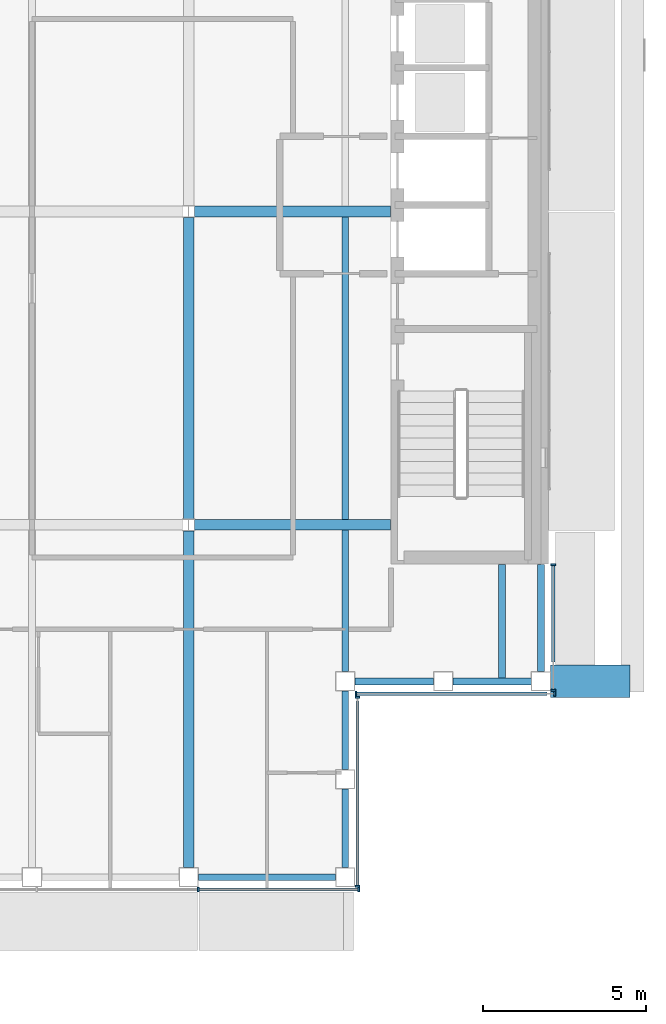
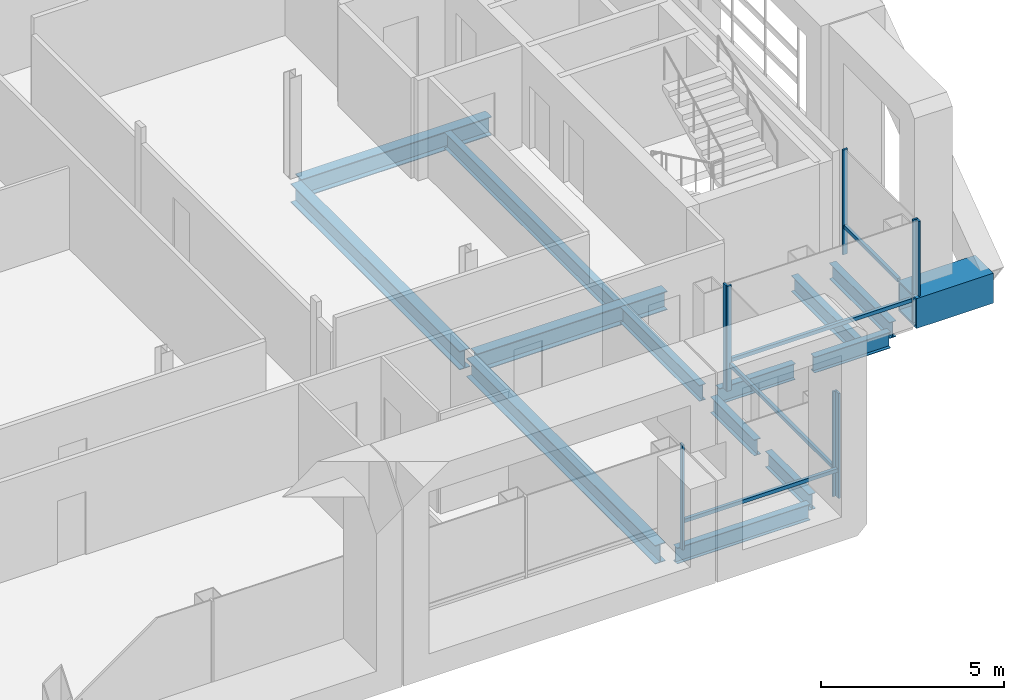
# One storey, part 6 of 23: 14 beams, 12 members, 4 elements without a shape of their own.
"""IFC4 building model written with IfcOpenShell, lengths in metres."""

from ifc_helpers import new_model, si_unit, direction, frame, origin, origin_2d, place, context, subcontext, project, spatial, rectangle, hollow_rectangle, i_section, extrude, material, material_profile, profile_set, type_object, element, aggregate, save


model = new_model("IFC4")

# Units and contexts
model_context = context("Model", 3, precision=1e-05, world=origin(), true_north=direction((0.0, 1.0)))
body_context = subcontext(model_context, "Body", "Model", "MODEL_VIEW")
ifc_project = project(units=[si_unit("LENGTHUNIT", "METRE"), si_unit("AREAUNIT", "SQUARE_METRE"), si_unit("VOLUMEUNIT", "CUBIC_METRE"), si_unit("PLANEANGLEUNIT", "RADIAN"), si_unit("MASSUNIT", "GRAM", prefix="KILO")], contexts=[model_context])

# Site, building, storey
site_placement = place(None, origin())
site = spatial("IfcSite", under=ifc_project, at=site_placement, CompositionType="ELEMENT")
building_placement = place(site_placement, origin())
building = spatial("IfcBuilding", under=site, at=building_placement, Name="Cobrizo Arcos Hotel Tower", CompositionType="ELEMENT")
storey_placement = place(building_placement, frame((0.0, 0.0, 255.0)))
storey = spatial("IfcBuildingStorey", under=building, at=storey_placement, Name="L67", CompositionType="ELEMENT", Elevation=255.0)

# Beam
ifc_material_1 = material(Name="Steel ASTM A572 Grade 50", Category="steel")
ifc_material_profile_1 = material_profile(ifc_material_1, hollow_rectangle(XDim=1.0, YDim=1.0, WallThickness=0.06005859375, at=origin_2d()), Name="BOX 1000X1000X60")
ifc_profile_set_1 = profile_set([ifc_material_profile_1], Name="Steel ASTM A572 Grade 50")
beam_type_1 = type_object("IfcBeamType", Name="BOX 1000X1000X60 brace connector strut", PredefinedType="BEAM", material=ifc_profile_set_1)
beam_1_placement = place(storey_placement, frame((20.68994140625, -14.39990234375, 0.5), z_axis=(1.0, 0.0, 0.0), x_axis=(0.0, 1.0, 0.0)))
element("IfcBeam", 1, at=beam_1_placement, inside=storey, type_object=beam_type_1, Name="Perimeter brace stub BS1, zone Z5, east face, offset -14.40 m, L67", PredefinedType="BEAM", context=body_context, shape_type="SweptSolid", body=[
    extrude(hollow_rectangle(XDim=1.0, YDim=1.0, WallThickness=0.06005859375, at=origin_2d()), origin(), (0.0, 0.0, 1.0), 2.43017578125),
])

# Curtain wall, members
ifc_material_2 = material(Name="Aluminium 6063-T6 anodised bronze", Category="aluminium")
curtain_wall_type = type_object("IfcCurtainWallType", Name="CW-A guest facade", PredefinedType="NOTDEFINED", material=ifc_material_2)
curtain_wall_1_placement = place(storey_placement, origin())
curtain_wall_1 = element("IfcCurtainWall", 2, at=curtain_wall_1_placement, inside=storey, type_object=curtain_wall_type, Name="CW-A L67 S face", PredefinedType="NOTDEFINED")
ifc_material_profile_2 = material_profile(ifc_material_2, rectangle(XDim=0.14990234375, YDim=0.06005859375, at=origin_2d()), Name="CW-A mullion 150x60")
ifc_profile_set_2 = profile_set([ifc_material_profile_2], Name="Aluminium 6063-T6 anodised bronze")
member_type_1 = type_object("IfcMemberType", Name="CW-A mullion 150x60", PredefinedType="MULLION", material=ifc_profile_set_2)
member_1_placement = place(storey_placement, frame((9.89990234375, -20.77490234375, 0.0), z_axis=(0.0, 0.0, 1.0), x_axis=(0.0, -1.0, 0.0)))
member_1 = element("IfcMember", 3, at=member_1_placement, type_object=member_type_1, Name="CW-A mullion 6", PredefinedType="MULLION", context=body_context, shape_type="SweptSolid", body=[
    extrude(rectangle(XDim=0.14990234375, YDim=0.06005859375, at=origin_2d()), origin(), (0.0, 0.0, 1.0), 3.5),
])
member_2_placement = place(storey_placement, frame((14.820068359375, -20.77490234375, 0.0), z_axis=(0.0, 0.0, 1.0), x_axis=(0.0, -1.0, 0.0)))
member_2 = element("IfcMember", 4, at=member_2_placement, type_object=member_type_1, Name="CW-A mullion 7", PredefinedType="MULLION", context=body_context, shape_type="SweptSolid", body=[
    extrude(rectangle(XDim=0.14990234375, YDim=0.06005859375, at=origin_2d()), origin(), (0.0, 0.0, 1.0), 3.5),
])

curtain_wall_2_placement = place(storey_placement, origin())
curtain_wall_2 = element("IfcCurtainWall", 5, at=curtain_wall_2_placement, inside=storey, type_object=curtain_wall_type, Name="CW-A L67 E face", PredefinedType="NOTDEFINED")
member_3_placement = place(storey_placement, frame((14.77490234375, -20.669921875, 0.0), z_axis=(0.0, 0.0, 1.0), x_axis=(1.0, 0.0, 0.0)))
member_3 = element("IfcMember", 6, at=member_3_placement, type_object=member_type_1, Name="CW-A mullion 1", PredefinedType="MULLION", context=body_context, shape_type="SweptSolid", body=[
    extrude(rectangle(XDim=0.14990234375, YDim=0.06005859375, at=origin_2d()), origin(), (0.0, 0.0, 1.0), 3.5),
])
member_4_placement = place(storey_placement, frame((14.77490234375, -14.8798828125, 0.0), z_axis=(0.0, 0.0, 1.0), x_axis=(1.0, 0.0, 0.0)))
member_4 = element("IfcMember", 7, at=member_4_placement, type_object=member_type_1, Name="CW-A mullion 2", PredefinedType="MULLION", context=body_context, shape_type="SweptSolid", body=[
    extrude(rectangle(XDim=0.14990234375, YDim=0.06005859375, at=origin_2d()), origin(), (0.0, 0.0, 1.0), 3.5),
])

curtain_wall_3_placement = place(storey_placement, origin())
curtain_wall_3 = element("IfcCurtainWall", 8, at=curtain_wall_3_placement, inside=storey, type_object=curtain_wall_type, Name="CW-A L67 S face", PredefinedType="NOTDEFINED")
member_5_placement = place(storey_placement, frame((14.72998046875, -14.77490234375, 0.0), z_axis=(0.0, 0.0, 1.0), x_axis=(0.0, -1.0, 0.0)))
member_5 = element("IfcMember", 9, at=member_5_placement, type_object=member_type_1, Name="CW-A mullion 1", PredefinedType="MULLION", context=body_context, shape_type="SweptSolid", body=[
    extrude(rectangle(XDim=0.14990234375, YDim=0.06005859375, at=origin_2d()), origin(), (0.0, 0.0, 1.0), 3.5),
])
member_6_placement = place(storey_placement, frame((20.820068359375, -14.77490234375, 0.0), z_axis=(0.0, 0.0, 1.0), x_axis=(0.0, -1.0, 0.0)))
member_6 = element("IfcMember", 10, at=member_6_placement, type_object=member_type_1, Name="CW-A mullion 2", PredefinedType="MULLION", context=body_context, shape_type="SweptSolid", body=[
    extrude(rectangle(XDim=0.14990234375, YDim=0.06005859375, at=origin_2d()), origin(), (0.0, 0.0, 1.0), 3.5),
])

curtain_wall_4_placement = place(storey_placement, origin())
curtain_wall_4 = element("IfcCurtainWall", 11, at=curtain_wall_4_placement, inside=storey, type_object=curtain_wall_type, Name="CW-A L67 E face", PredefinedType="NOTDEFINED")
member_7_placement = place(storey_placement, frame((20.77490234375, -14.669921875, 0.0), z_axis=(0.0, 0.0, 1.0), x_axis=(1.0, 0.0, 0.0)))
member_7 = element("IfcMember", 12, at=member_7_placement, type_object=member_type_1, Name="CW-A mullion 1", PredefinedType="MULLION", context=body_context, shape_type="SweptSolid", body=[
    extrude(rectangle(XDim=0.14990234375, YDim=0.06005859375, at=origin_2d()), origin(), (0.0, 0.0, 1.0), 3.5),
])
member_8_placement = place(storey_placement, frame((20.77490234375, -10.830078125, 0.0), z_axis=(0.0, 0.0, 1.0), x_axis=(1.0, 0.0, 0.0)))
member_8 = element("IfcMember", 13, at=member_8_placement, type_object=member_type_1, Name="CW-A mullion 2", PredefinedType="MULLION", context=body_context, shape_type="SweptSolid", body=[
    extrude(rectangle(XDim=0.14990234375, YDim=0.06005859375, at=origin_2d()), origin(), (0.0, 0.0, 1.0), 3.5),
])

# Member
ifc_material_profile_3 = material_profile(ifc_material_2, rectangle(XDim=0.10009765625, YDim=0.1201171875, at=origin_2d()), Name="CW-A transom 120x100")
ifc_profile_set_3 = profile_set([ifc_material_profile_3], Name="Aluminium 6063-T6 anodised bronze")
member_type_2 = type_object("IfcMemberType", Name="CW-A transom 120x100", PredefinedType="USERDEFINED", material=ifc_profile_set_3)
member_9_placement = place(storey_placement, frame((9.929931640625, -20.77490234375, 0.929931640625), z_axis=(1.0, 0.0, 0.0), x_axis=(0.0, 1.0, 0.0)))
member_9 = element("IfcMember", 14, at=member_9_placement, type_object=member_type_2, Name="CW-A transom 2113", ObjectType="TRANSOM", PredefinedType="USERDEFINED", context=body_context, shape_type="SweptSolid", body=[
    extrude(rectangle(XDim=0.10009765625, YDim=0.1201171875, at=origin_2d()), origin(), (0.0, 0.0, 1.0), 4.860107421875),
])

aggregate(curtain_wall_1, [member_1, member_2, member_9])

member_10_placement = place(storey_placement, frame((14.77490234375, -20.639892578125, 0.929931640625), z_axis=(0.0, 1.0, 0.0), x_axis=(-1.0, 0.0, 0.0)))
member_10 = element("IfcMember", 15, at=member_10_placement, type_object=member_type_2, Name="CW-A transom 2114", ObjectType="TRANSOM", PredefinedType="USERDEFINED", context=body_context, shape_type="SweptSolid", body=[
    extrude(rectangle(XDim=0.10009765625, YDim=0.1201171875, at=origin_2d()), origin(), (0.0, 0.0, 1.0), 5.639892578125),
])

aggregate(curtain_wall_2, [member_3, member_4, member_10])

member_11_placement = place(storey_placement, frame((14.760009765625, -14.77490234375, 0.929931640625), z_axis=(1.0, 0.0, 0.0), x_axis=(0.0, 1.0, 0.0)))
member_11 = element("IfcMember", 16, at=member_11_placement, type_object=member_type_2, Name="CW-A transom 2115", ObjectType="TRANSOM", PredefinedType="USERDEFINED", context=body_context, shape_type="SweptSolid", body=[
    extrude(rectangle(XDim=0.10009765625, YDim=0.1201171875, at=origin_2d()), origin(), (0.0, 0.0, 1.0), 5.830078125),
])

aggregate(curtain_wall_3, [member_5, member_6, member_11])

member_12_placement = place(storey_placement, frame((20.77490234375, -13.800048828125, 0.929931640625), z_axis=(0.0, 1.0, 0.0), x_axis=(-1.0, 0.0, 0.0)))
member_12 = element("IfcMember", 17, at=member_12_placement, type_object=member_type_2, Name="CW-A transom 2116", ObjectType="TRANSOM", PredefinedType="USERDEFINED", context=body_context, shape_type="SweptSolid", body=[
    extrude(rectangle(XDim=0.10009765625, YDim=0.1201171875, at=origin_2d()), origin(), (0.0, 0.0, 1.0), 2.93994140625),
])

aggregate(curtain_wall_4, [member_7, member_8, member_12])

# Beams
ifc_material_3 = material(Name="Steel ASTM A992 Grade 50", Category="steel")
ifc_material_profile_4 = material_profile(ifc_material_3, i_section(OverallWidth=0.209228515625, OverallDepth=0.533447265625, WebThickness=0.01025390625, FlangeThickness=0.015625, at=origin_2d()), Name="W21X62")
ifc_profile_set_4 = profile_set([ifc_material_profile_4], Name="Steel ASTM A992 Grade 50")
beam_type_2 = type_object("IfcBeamType", Name="W21X62 joist", PredefinedType="JOIST", material=ifc_profile_set_4)
beam_2_placement = place(storey_placement, frame((14.39990234375, -14.10009765625, -0.416748046875), z_axis=(0.0, 1.0, 0.0), x_axis=(-1.0, 0.0, 0.0)))
element("IfcBeam", 18, at=beam_2_placement, inside=storey, type_object=beam_type_2, Name="Floor joist J1, L67, no. 015", PredefinedType="JOIST", context=body_context, shape_type="SweptSolid", body=[
    extrude(i_section(OverallWidth=0.209228515625, OverallDepth=0.533447265625, WebThickness=0.01025390625, FlangeThickness=0.015625, at=origin_2d()), origin(), (0.0, 0.0, 1.0), 4.336181640625),
])
beam_3_placement = place(storey_placement, frame((14.39990234375, -9.43603515625, -0.416748046875), z_axis=(0.0, 1.0, 0.0), x_axis=(-1.0, 0.0, 0.0)))
element("IfcBeam", 19, at=beam_3_placement, inside=storey, type_object=beam_type_2, Name="Floor joist J1, L67, no. 016", PredefinedType="JOIST", context=body_context, shape_type="SweptSolid", body=[
    extrude(i_section(OverallWidth=0.209228515625, OverallDepth=0.533447265625, WebThickness=0.01025390625, FlangeThickness=0.015625, at=origin_2d()), origin(), (0.0, 0.0, 1.0), 9.272216796875),
])
beam_4_placement = place(storey_placement, frame((19.199951171875, -14.31005859375, -0.416748046875), z_axis=(0.0, 1.0, 0.0), x_axis=(-1.0, 0.0, 0.0)))
element("IfcBeam", 20, at=beam_4_placement, inside=storey, type_object=beam_type_2, Name="Floor joist J1, L67, no. 019", PredefinedType="JOIST", context=body_context, shape_type="SweptSolid", body=[
    extrude(i_section(OverallWidth=0.209228515625, OverallDepth=0.533447265625, WebThickness=0.01025390625, FlangeThickness=0.015625, at=origin_2d()), origin(), (0.0, 0.0, 1.0), 3.5),
])
ifc_material_profile_5 = material_profile(ifc_material_3, i_section(OverallWidth=0.209228515625, OverallDepth=0.533447265625, WebThickness=0.01025390625, FlangeThickness=0.015625, at=origin_2d()), Name="W21X62")
ifc_profile_set_5 = profile_set([ifc_material_profile_5], Name="Steel ASTM A992 Grade 50")
beam_type_3 = type_object("IfcBeamType", Name="W21X62 spandrel", PredefinedType="SPANDREL", material=ifc_profile_set_5)
beam_5_placement = place(storey_placement, frame((9.89990234375, -20.39990234375, -0.416748046875), z_axis=(1.0, 0.0, 0.0), x_axis=(0.0, 1.0, 0.0)))
element("IfcBeam", 21, at=beam_5_placement, inside=storey, type_object=beam_type_3, Name="Spandrel beam W21X62, L67, no. 006", PredefinedType="SPANDREL", context=body_context, shape_type="SweptSolid", body=[
    extrude(i_section(OverallWidth=0.209228515625, OverallDepth=0.533447265625, WebThickness=0.01025390625, FlangeThickness=0.015625, at=origin_2d()), origin(), (0.0, 0.0, 1.0), 4.2001953125),
])
for number, where, z_axis, x_axis, name in (
    (22, (14.39990234375, -20.10009765625, -0.416748046875), (0.0, 1.0, 0.0), (-1.0, 0.0, 0.0), "Spandrel beam W21X62, L67, no. 007"),
    (23, (14.39990234375, -17.10009765625, -0.416748046875), (0.0, 1.0, 0.0), (-1.0, 0.0, 0.0), "Spandrel beam W21X62, L67, no. 008"),
    (24, (14.699951171875, -14.39990234375, -0.416748046875), (1.0, 0.0, 0.0), (0.0, 1.0, 0.0), "Spandrel beam W21X62, L67, no. 009"),
    (25, (17.699951171875, -14.39990234375, -0.416748046875), (1.0, 0.0, 0.0), (0.0, 1.0, 0.0), "Spandrel beam W21X62, L67, no. 010"),
):
    element("IfcBeam", number, at=place(storey_placement, frame(where, z_axis=z_axis, x_axis=x_axis)), inside=storey, type_object=beam_type_3, Name=name, PredefinedType="SPANDREL", context=body_context, shape_type="SweptSolid", body=[
        extrude(i_section(OverallWidth=0.209228515625, OverallDepth=0.533447265625, WebThickness=0.01025390625, FlangeThickness=0.015625, at=origin_2d()), origin(), (0.0, 0.0, 1.0), 2.400146484375),
    ])
beam_6_placement = place(storey_placement, frame((20.39990234375, -14.10009765625, -0.416748046875), z_axis=(0.0, 1.0, 0.0), x_axis=(-1.0, 0.0, 0.0)))
element("IfcBeam", 26, at=beam_6_placement, inside=storey, type_object=beam_type_3, Name="Spandrel beam W21X62, L67, no. 011", PredefinedType="SPANDREL", context=body_context, shape_type="SweptSolid", body=[
    extrude(i_section(OverallWidth=0.209228515625, OverallDepth=0.533447265625, WebThickness=0.01025390625, FlangeThickness=0.015625, at=origin_2d()), origin(), (0.0, 0.0, 1.0), 3.2900390625),
])
ifc_material_profile_6 = material_profile(ifc_material_3, i_section(OverallWidth=0.32763671875, OverallDepth=0.622314453125, WebThickness=0.015380859375, FlangeThickness=0.0244140625, at=origin_2d()), Name="W24X131")
ifc_profile_set_6 = profile_set([ifc_material_profile_6], Name="Steel ASTM A992 Grade 50")
beam_type_4 = type_object("IfcBeamType", Name="W24X131 girder", PredefinedType="BEAM", material=ifc_profile_set_6)
for number, where, z_axis, x_axis, name in (
    (27, (9.7841796875, -9.60009765625, -0.461181640625), (1.0, 0.0, 0.0), (0.0, 1.0, 0.0), "Floor girder G1, L67, no. 004"),
    (28, (9.7841796875, 0.0, -0.461181640625), (1.0, 0.0, 0.0), (0.0, 1.0, 0.0), "Floor girder G1, L67, no. 008"),
):
    element("IfcBeam", number, at=place(storey_placement, frame(where, z_axis=z_axis, x_axis=x_axis)), inside=storey, type_object=beam_type_4, Name=name, PredefinedType="BEAM", context=body_context, shape_type="SweptSolid", body=[
        extrude(i_section(OverallWidth=0.32763671875, OverallDepth=0.622314453125, WebThickness=0.015380859375, FlangeThickness=0.0244140625, at=origin_2d()), origin(), (0.0, 0.0, 1.0), 6.005859375),
    ])
beam_7_placement = place(storey_placement, frame((9.60009765625, -20.10009765625, -0.461181640625), z_axis=(0.0, 1.0, 0.0), x_axis=(-1.0, 0.0, 0.0)))
element("IfcBeam", 29, at=beam_7_placement, inside=storey, type_object=beam_type_4, Name="Floor girder G1, L67, no. 021", PredefinedType="BEAM", context=body_context, shape_type="SweptSolid", body=[
    extrude(i_section(OverallWidth=0.32763671875, OverallDepth=0.622314453125, WebThickness=0.015380859375, FlangeThickness=0.0244140625, at=origin_2d()), origin(), (0.0, 0.0, 1.0), 10.31591796875),
])
beam_8_placement = place(storey_placement, frame((9.60009765625, -9.415771484375, -0.461181640625), z_axis=(0.0, 1.0, 0.0), x_axis=(-1.0, 0.0, 0.0)))
element("IfcBeam", 30, at=beam_8_placement, inside=storey, type_object=beam_type_4, Name="Floor girder G1, L67, no. 022", PredefinedType="BEAM", context=body_context, shape_type="SweptSolid", body=[
    extrude(i_section(OverallWidth=0.32763671875, OverallDepth=0.622314453125, WebThickness=0.015380859375, FlangeThickness=0.0244140625, at=origin_2d()), origin(), (0.0, 0.0, 1.0), 9.231689453125),
])

save(model, "model.ifc")
